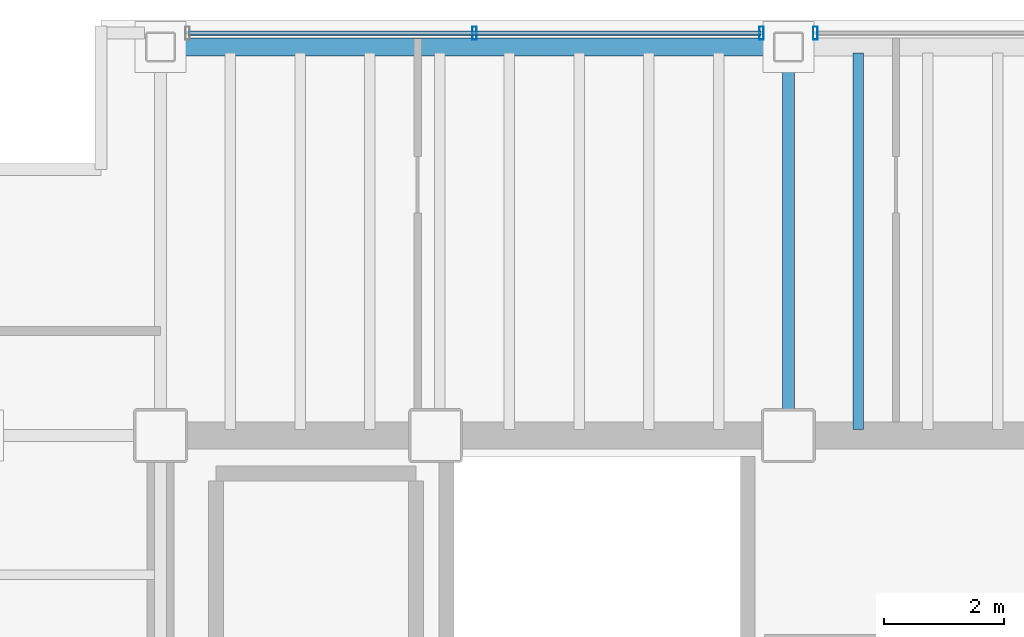
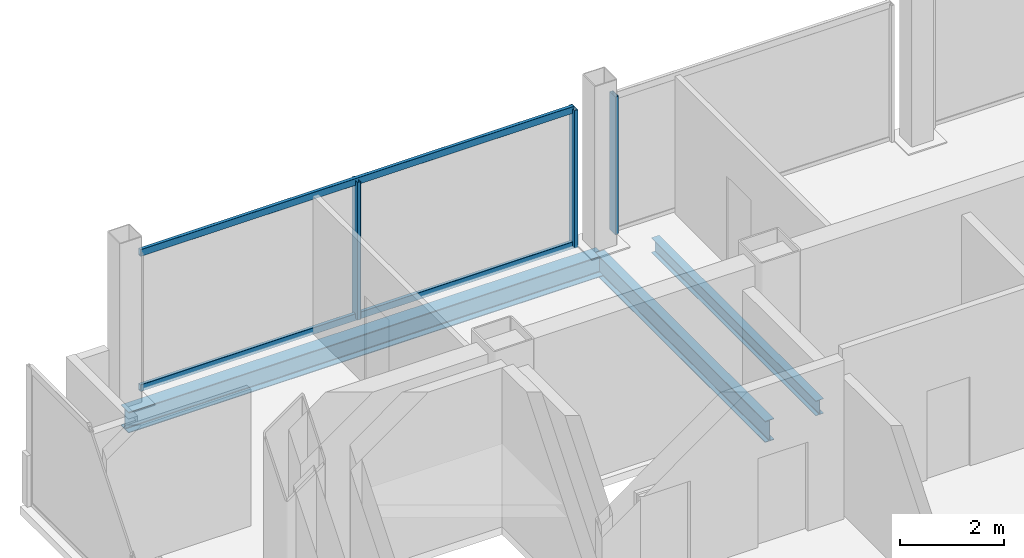
# One storey, part 7 of 16: 5 members, 3 beams, 2 elements without a shape of their own.
"""IFC4 building model written with IfcOpenShell, lengths in metres."""

from ifc_helpers import new_model, si_unit, direction, frame, origin, origin_2d, place, context, subcontext, project, spatial, hollow_rectangle, i_section, extrude, material, material_profile, profile_set, type_object, element, aggregate, save


model = new_model("IFC4")

# Units and contexts
model_context = context("Model", 3, precision=1e-05, world=origin(), true_north=direction((0.0, 1.0)))
body_context = subcontext(model_context, "Body", "Model", "MODEL_VIEW")
ifc_project = project(units=[si_unit("LENGTHUNIT", "METRE"), si_unit("AREAUNIT", "SQUARE_METRE"), si_unit("VOLUMEUNIT", "CUBIC_METRE"), si_unit("PLANEANGLEUNIT", "RADIAN"), si_unit("MASSUNIT", "GRAM", prefix="KILO")], contexts=[model_context])

# Site, building, storey
site_placement = place(None, origin())
site = spatial("IfcSite", under=ifc_project, at=site_placement, CompositionType="ELEMENT")
building_placement = place(site_placement, origin())
building = spatial("IfcBuilding", under=site, at=building_placement, Name="Noeulbin Bourse Tower", CompositionType="ELEMENT")
storey_placement = place(building_placement, frame((0.0, 0.0, 181.199951171875)))
storey = spatial("IfcBuildingStorey", under=building, at=storey_placement, Name="L45", CompositionType="ELEMENT", Elevation=181.199951171875)

# Beams
ifc_material_1 = material(Name="Steel S355", Category="steel")
ifc_material_profile_1 = material_profile(ifc_material_1, i_section(OverallWidth=0.199951171875, OverallDepth=0.5, WebThickness=0.010009765625, FlangeThickness=0.01611328125, FilletRadius=0.02001953125, at=origin_2d()), Name="H-500x200x10x16", Category="LoadBearing")
ifc_profile_set_1 = profile_set([ifc_material_profile_1], Name="Steel S355")
beam_type_1 = type_object("IfcBeamType", Name="BM-GRD-500", PredefinedType="USERDEFINED", material=ifc_profile_set_1)
beam_1_placement = place(storey_placement, frame((24.0, 38.300048828125, -0.429931640625), z_axis=(0.0, 1.0, 0.0), x_axis=(-1.0, 0.0, 0.0)))
element("IfcBeam", 1, at=beam_1_placement, inside=storey, type_object=beam_type_1, Name="Tower Primary Girder NS L45-2.4", ObjectType="GIRDER", PredefinedType="USERDEFINED", context=body_context, shape_type="SweptSolid", body=[
    extrude(i_section(OverallWidth=0.199951171875, OverallDepth=0.5, WebThickness=0.010009765625, FlangeThickness=0.01611328125, FilletRadius=0.02001953125, at=origin_2d()), origin(), (0.0, 0.0, 1.0), 6.5),
])
ifc_material_profile_2 = material_profile(ifc_material_1, i_section(OverallWidth=0.175048828125, OverallDepth=0.35009765625, WebThickness=0.007080078125, FlangeThickness=0.010986328125, FilletRadius=0.013916015625, at=origin_2d()), Name="H-350x175x7x11", Category="LoadBearing")
ifc_profile_set_2 = profile_set([ifc_material_profile_2], Name="Steel S355")
beam_type_2 = type_object("IfcBeamType", Name="BM-JST-350", PredefinedType="JOIST", material=ifc_profile_set_2)
beam_2_placement = place(storey_placement, frame((25.166748046875, 38.39990234375, -0.35498046875), z_axis=(0.0, 1.0, 0.0), x_axis=(-1.0, 0.0, 0.0)))
element("IfcBeam", 2, at=beam_2_placement, inside=storey, type_object=beam_type_2, Name="Tower Composite Joist L45-27", PredefinedType="JOIST", context=body_context, shape_type="SweptSolid", body=[
    extrude(i_section(OverallWidth=0.175048828125, OverallDepth=0.35009765625, WebThickness=0.007080078125, FlangeThickness=0.010986328125, FilletRadius=0.013916015625, at=origin_2d()), origin(), (0.0, 0.0, 1.0), 6.300048828125),
])
ifc_material_profile_3 = material_profile(ifc_material_1, i_section(OverallWidth=0.300048828125, OverallDepth=0.488037109375, WebThickness=0.010986328125, FlangeThickness=0.01806640625, FilletRadius=0.02197265625, at=origin_2d()), Name="H-488x300x11x18", Category="LoadBearing")
ifc_profile_set_3 = profile_set([ifc_material_profile_3], Name="Steel S355")
beam_type_3 = type_object("IfcBeamType", Name="BM-SPN-488", PredefinedType="SPANDREL", material=ifc_profile_set_3)
beam_3_placement = place(storey_placement, frame((13.5, 44.800048828125, -0.424072265625), z_axis=(1.0, 0.0, 0.0), x_axis=(0.0, 1.0, 0.0)))
element("IfcBeam", 3, at=beam_3_placement, inside=storey, type_object=beam_type_3, Name="North Spandrel L45-1", PredefinedType="SPANDREL", context=body_context, shape_type="SweptSolid", body=[
    extrude(i_section(OverallWidth=0.300048828125, OverallDepth=0.488037109375, WebThickness=0.010986328125, FlangeThickness=0.01806640625, FilletRadius=0.02197265625, at=origin_2d()), origin(), (0.0, 0.0, 1.0), 10.5),
])

# Curtain wall, members
ifc_material_2 = material(Name="Dark Tinted Triple Glazing", Category="glass")
curtain_wall_type = type_object("IfcCurtainWallType", Name="CW-SYS-3", PredefinedType="NOTDEFINED", material=ifc_material_2)
curtain_wall_1_placement = place(storey_placement, origin())
curtain_wall_1 = element("IfcCurtainWall", 4, at=curtain_wall_1_placement, inside=storey, type_object=curtain_wall_type, Name="Unitised Curtain Wall CW-L45-N-S1", PredefinedType="NOTDEFINED")
ifc_material_3 = material(Name="Anodised Aluminium 6063-T6", Category="aluminium")
ifc_material_profile_4 = material_profile(ifc_material_3, hollow_rectangle(XDim=0.074951171875, YDim=0.219970703125, WallThickness=0.0048828125, InnerFilletRadius=0.00244140625, OuterFilletRadius=0.0048828125, at=origin_2d()), Name="ALU-MULL-75x220x5", Category="LoadBearing")
ifc_profile_set_4 = profile_set([ifc_material_profile_4], Name="Anodised Aluminium 6063-T6")
member_type_1 = type_object("IfcMemberType", Name="CW-SYS-3-MUL", PredefinedType="MULLION", material=ifc_profile_set_4)
member_1_placement = place(storey_placement, frame((18.75, 45.030029296875, -0.02001953125), z_axis=(0.0, 0.0, 1.0), x_axis=(1.0, 0.0, 0.0)))
member_1 = element("IfcMember", 5, at=member_1_placement, type_object=member_type_1, Name="Curtain Wall Mullion CW-L45-N-S1-M01", PredefinedType="MULLION", context=body_context, shape_type="SweptSolid", body=[
    extrude(hollow_rectangle(XDim=0.074951171875, YDim=0.219970703125, WallThickness=0.0048828125, InnerFilletRadius=0.00244140625, OuterFilletRadius=0.0048828125, at=origin_2d()), origin(), (0.0, 0.0, 1.0), 3.219970703125),
])
member_2_placement = place(storey_placement, frame((23.550048828125, 45.030029296875, -0.02001953125), z_axis=(0.0, 0.0, 1.0), x_axis=(1.0, 0.0, 0.0)))
member_2 = element("IfcMember", 6, at=member_2_placement, type_object=member_type_1, Name="Curtain Wall Mullion CW-L45-N-S1-M02", PredefinedType="MULLION", context=body_context, shape_type="SweptSolid", body=[
    extrude(hollow_rectangle(XDim=0.074951171875, YDim=0.219970703125, WallThickness=0.0048828125, InnerFilletRadius=0.00244140625, OuterFilletRadius=0.0048828125, at=origin_2d()), origin(), (0.0, 0.0, 1.0), 3.219970703125),
])

# Curtain wall, member
curtain_wall_2_placement = place(storey_placement, origin())
curtain_wall_2 = element("IfcCurtainWall", 7, at=curtain_wall_2_placement, inside=storey, type_object=curtain_wall_type, Name="Unitised Curtain Wall CW-L45-N-S2", PredefinedType="NOTDEFINED")
member_3_placement = place(storey_placement, frame((24.449951171875, 45.030029296875, -0.02001953125), z_axis=(0.0, 0.0, 1.0), x_axis=(1.0, 0.0, 0.0)))
member_3 = element("IfcMember", 8, at=member_3_placement, type_object=member_type_1, Name="Curtain Wall Mullion CW-L45-N-S2-M00", PredefinedType="MULLION", context=body_context, shape_type="SweptSolid", body=[
    extrude(hollow_rectangle(XDim=0.074951171875, YDim=0.219970703125, WallThickness=0.0048828125, InnerFilletRadius=0.00244140625, OuterFilletRadius=0.0048828125, at=origin_2d()), origin(), (0.0, 0.0, 1.0), 3.219970703125),
])
aggregate(curtain_wall_2, [member_3])

# Member
ifc_material_profile_5 = material_profile(ifc_material_3, hollow_rectangle(XDim=0.074951171875, YDim=0.159912109375, WallThickness=0.0048828125, InnerFilletRadius=0.00244140625, OuterFilletRadius=0.0048828125, at=origin_2d()), Name="ALU-TRAN-75x160x5", Category="LoadBearing")
ifc_profile_set_5 = profile_set([ifc_material_profile_5], Name="Anodised Aluminium 6063-T6")
member_type_2 = type_object("IfcMemberType", Name="CW-SYS-3-TRN", PredefinedType="USERDEFINED", material=ifc_profile_set_5)
member_4_placement = place(storey_placement, frame((13.9599609375, 45.030029296875, 0.010009765625), z_axis=(1.0, 0.0, 0.0), x_axis=(0.0, 1.0, 0.0)))
member_4 = element("IfcMember", 9, at=member_4_placement, type_object=member_type_2, Name="Curtain Wall Transom CW-L45-N-S1-T00", ObjectType="TRANSOM", PredefinedType="USERDEFINED", context=body_context, shape_type="SweptSolid", body=[
    extrude(hollow_rectangle(XDim=0.074951171875, YDim=0.159912109375, WallThickness=0.0048828125, InnerFilletRadius=0.00244140625, OuterFilletRadius=0.0048828125, at=origin_2d()), origin(), (0.0, 0.0, 1.0), 9.580078125),
])

member_5_placement = place(storey_placement, frame((13.9599609375, 45.030029296875, 3.170166015625), z_axis=(1.0, 0.0, 0.0), x_axis=(0.0, 1.0, 0.0)))
member_5 = element("IfcMember", 10, at=member_5_placement, type_object=member_type_2, Name="Curtain Wall Transom CW-L45-N-S1-T01", ObjectType="TRANSOM", PredefinedType="USERDEFINED", context=body_context, shape_type="SweptSolid", body=[
    extrude(hollow_rectangle(XDim=0.074951171875, YDim=0.159912109375, WallThickness=0.0048828125, InnerFilletRadius=0.00244140625, OuterFilletRadius=0.0048828125, at=origin_2d()), origin(), (0.0, 0.0, 1.0), 9.580078125),
])

aggregate(curtain_wall_1, [member_1, member_2, member_4, member_5])

save(model, "model.ifc")
